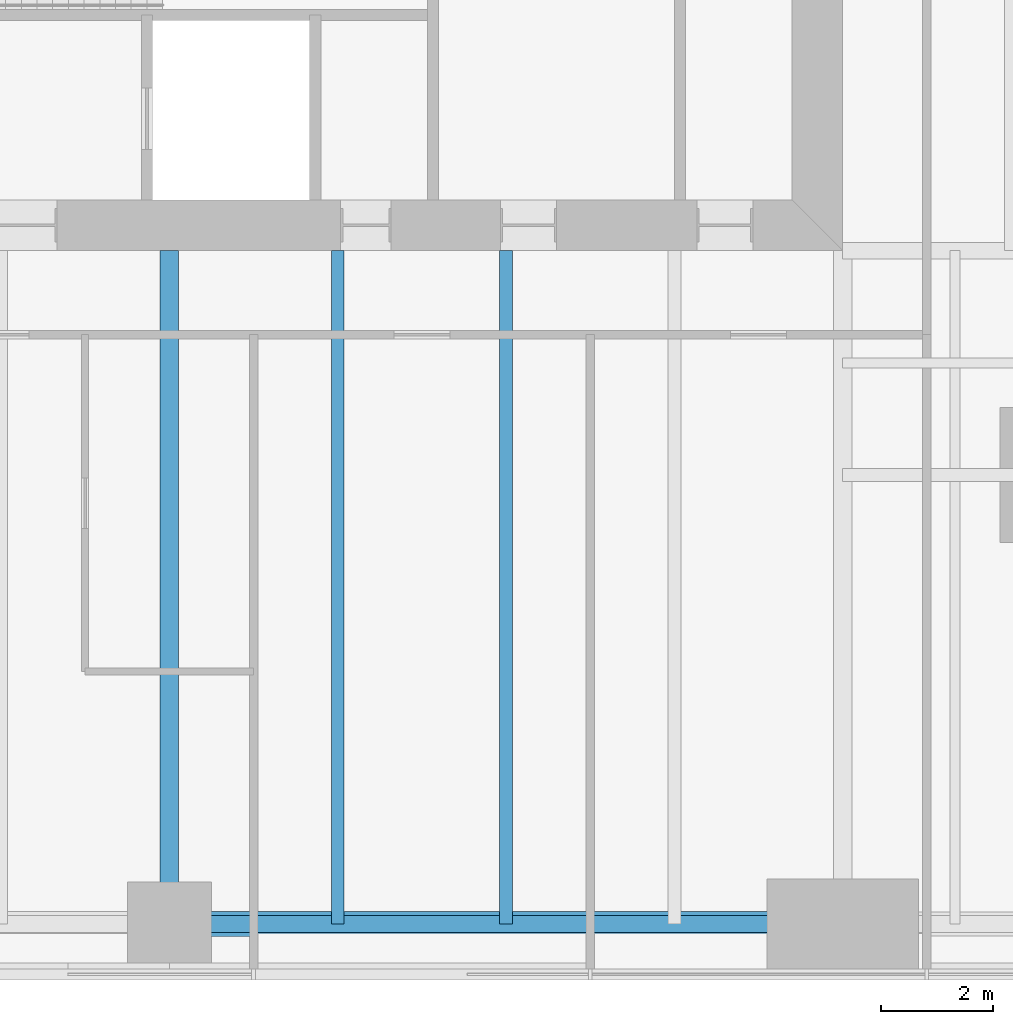
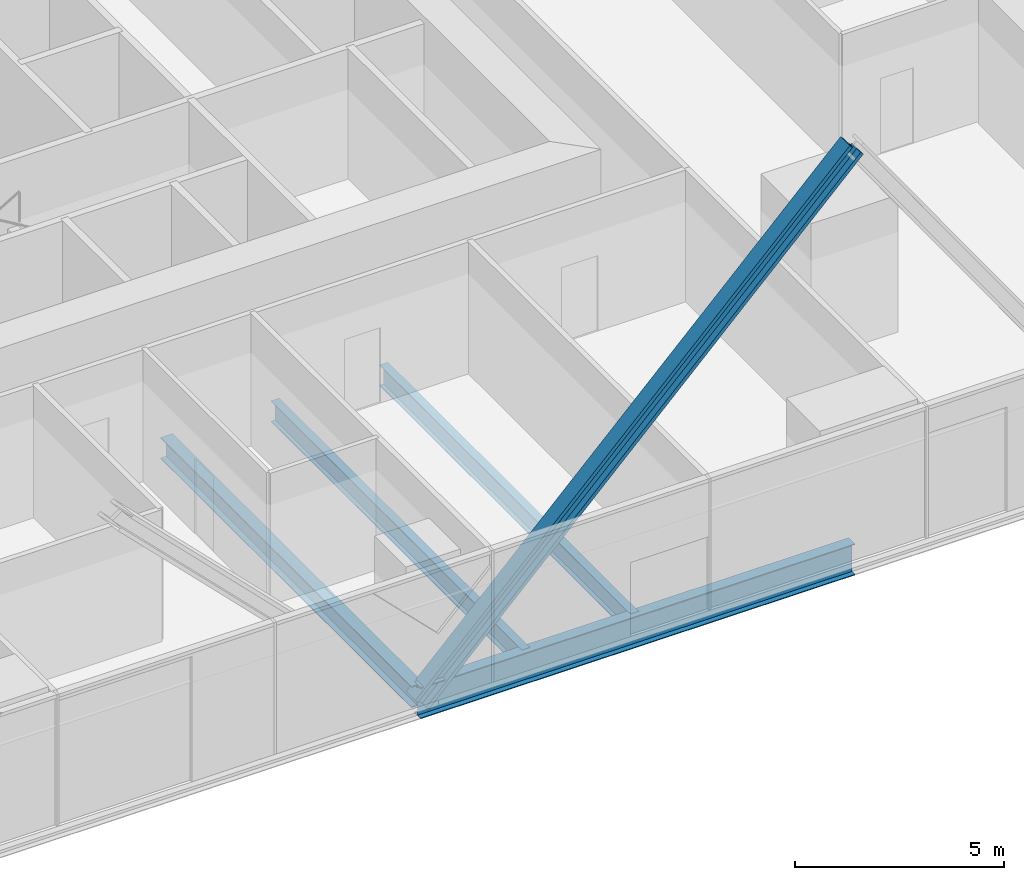
# One storey, part 3 of 13: 4 beams, 1 member.
"""IFC4 building model written with IfcOpenShell, lengths in metres."""

from ifc_helpers import new_model, si_unit, direction, frame, origin, origin_2d, place, context, subcontext, project, spatial, i_section, extrude, material, material_profile, profile_set, type_object, element, save


model = new_model("IFC4")

# Units and contexts
model_context = context("Model", 3, precision=1e-05, world=origin(), true_north=direction((0.0, 1.0)))
body_context = subcontext(model_context, "Body", "Model", "MODEL_VIEW")
ifc_project = project(units=[si_unit("LENGTHUNIT", "METRE"), si_unit("AREAUNIT", "SQUARE_METRE"), si_unit("VOLUMEUNIT", "CUBIC_METRE"), si_unit("PLANEANGLEUNIT", "RADIAN"), si_unit("MASSUNIT", "GRAM", prefix="KILO")], contexts=[model_context])

# Site, building, storey
site_placement = place(None, origin())
site = spatial("IfcSite", under=ifc_project, at=site_placement, CompositionType="ELEMENT")
building_placement = place(site_placement, origin())
building = spatial("IfcBuilding", under=site, at=building_placement, Name="Fenwick Lantern Interchange", CompositionType="ELEMENT")
storey_placement = place(building_placement, frame((0.0, 0.0, 43.0)))
storey = spatial("IfcBuildingStorey", under=building, at=storey_placement, Name="L09", CompositionType="ELEMENT", Elevation=43.0)

# Beam
ifc_material = material(Name="Steel ASTM A992 Grade 50", Category="steel")
ifc_material_profile_1 = material_profile(ifc_material, i_section(OverallWidth=0.3046875, OverallDepth=0.911865234375, WebThickness=0.015869140625, FlangeThickness=0.02392578125, at=origin_2d()), Name="W36X150")
ifc_profile_set_1 = profile_set([ifc_material_profile_1], Name="Steel ASTM A992 Grade 50")
beam_type_1 = type_object("IfcBeamType", Name="EDGE BEAM W36X150", PredefinedType="SPANDREL", material=ifc_profile_set_1)
beam_1_placement = place(storey_placement, frame((25.0, 1.0, -0.60595703125), z_axis=(1.0, 0.0, 0.0), x_axis=(0.0, 1.0, 0.0)))
element("IfcBeam", 1, at=beam_1_placement, inside=storey, type_object=beam_type_1, Name="L09/FR/S/EB3", PredefinedType="SPANDREL", context=body_context, shape_type="SweptSolid", body=[
    extrude(i_section(OverallWidth=0.3046875, OverallDepth=0.911865234375, WebThickness=0.015869140625, FlangeThickness=0.02392578125, at=origin_2d()), origin(), (0.0, 0.0, 1.0), 12.0),
])

# Member
ifc_material_profile_2 = material_profile(ifc_material, i_section(OverallWidth=0.44189453125, OverallDepth=0.53076171875, WebThickness=0.06591796875, FlangeThickness=0.105712890625, at=origin_2d()), Name="W14X605")
ifc_profile_set_2 = profile_set([ifc_material_profile_2], Name="Steel ASTM A992 Grade 50")
member_type = type_object("IfcMemberType", Name="FACADE BRACE W14X605", PredefinedType="BRACE", material=ifc_profile_set_2)
member_placement = place(storey_placement, frame((25.0, 1.0, -0.60595703125), z_axis=(0.707106781187, 0.0, 0.707106781187), x_axis=(0.0, 1.0, 0.0)))
element("IfcMember", 2, at=member_placement, inside=storey, type_object=member_type, Name="L09/FB/S/B", PredefinedType="BRACE", context=body_context, shape_type="SweptSolid", body=[
    extrude(i_section(OverallWidth=0.44189453125, OverallDepth=0.53076171875, WebThickness=0.06591796875, FlangeThickness=0.105712890625, at=origin_2d()), origin(), (0.0, 0.0, 1.0), 16.970458984375),
])

# Beams
ifc_material_profile_3 = material_profile(ifc_material, i_section(OverallWidth=0.22900390625, OverallDepth=0.612060546875, WebThickness=0.011962890625, FlangeThickness=0.01953125, at=origin_2d()), Name="W24X84")
ifc_profile_set_3 = profile_set([ifc_material_profile_3], Name="Steel ASTM A992 Grade 50")
beam_type_2 = type_object("IfcBeamType", Name="FLOOR BEAM W24X84", PredefinedType="BEAM", material=ifc_profile_set_3)
for number, where, z_axis, x_axis, name in (
    (3, (28.0, 1.0, -0.4560546875), (0.0, 1.0, 0.0), (-1.0, 0.0, 0.0), "L09/FR/S/R06"),
    (4, (31.0, 1.0, -0.4560546875), (0.0, 1.0, 0.0), (-1.0, 0.0, 0.0), "L09/FR/S/R07"),
):
    element("IfcBeam", number, at=place(storey_placement, frame(where, z_axis=z_axis, x_axis=x_axis)), inside=storey, type_object=beam_type_2, Name=name, PredefinedType="BEAM", context=body_context, shape_type="SweptSolid", body=[
        extrude(i_section(OverallWidth=0.22900390625, OverallDepth=0.612060546875, WebThickness=0.011962890625, FlangeThickness=0.01953125, at=origin_2d()), origin(), (0.0, 0.0, 1.0), 12.0),
    ])
ifc_material_profile_4 = material_profile(ifc_material, i_section(OverallWidth=0.32763671875, OverallDepth=0.622314453125, WebThickness=0.015380859375, FlangeThickness=0.0244140625, at=origin_2d()), Name="W24X131")
ifc_profile_set_4 = profile_set([ifc_material_profile_4], Name="Steel ASTM A992 Grade 50")
beam_type_3 = type_object("IfcBeamType", Name="MOMENT-CONNECTED GIRDER W24X131", PredefinedType="BEAM", material=ifc_profile_set_4)
beam_2_placement = place(storey_placement, frame((25.0, 1.0, -0.461181640625), z_axis=(0.0, 1.0, 0.0), x_axis=(-1.0, 0.0, 0.0)))
element("IfcBeam", 5, at=beam_2_placement, inside=storey, type_object=beam_type_3, Name="L09/FR/S/R05", PredefinedType="BEAM", context=body_context, shape_type="SweptSolid", body=[
    extrude(i_section(OverallWidth=0.32763671875, OverallDepth=0.622314453125, WebThickness=0.015380859375, FlangeThickness=0.0244140625, at=origin_2d()), origin(), (0.0, 0.0, 1.0), 12.0),
])

save(model, "model.ifc")
